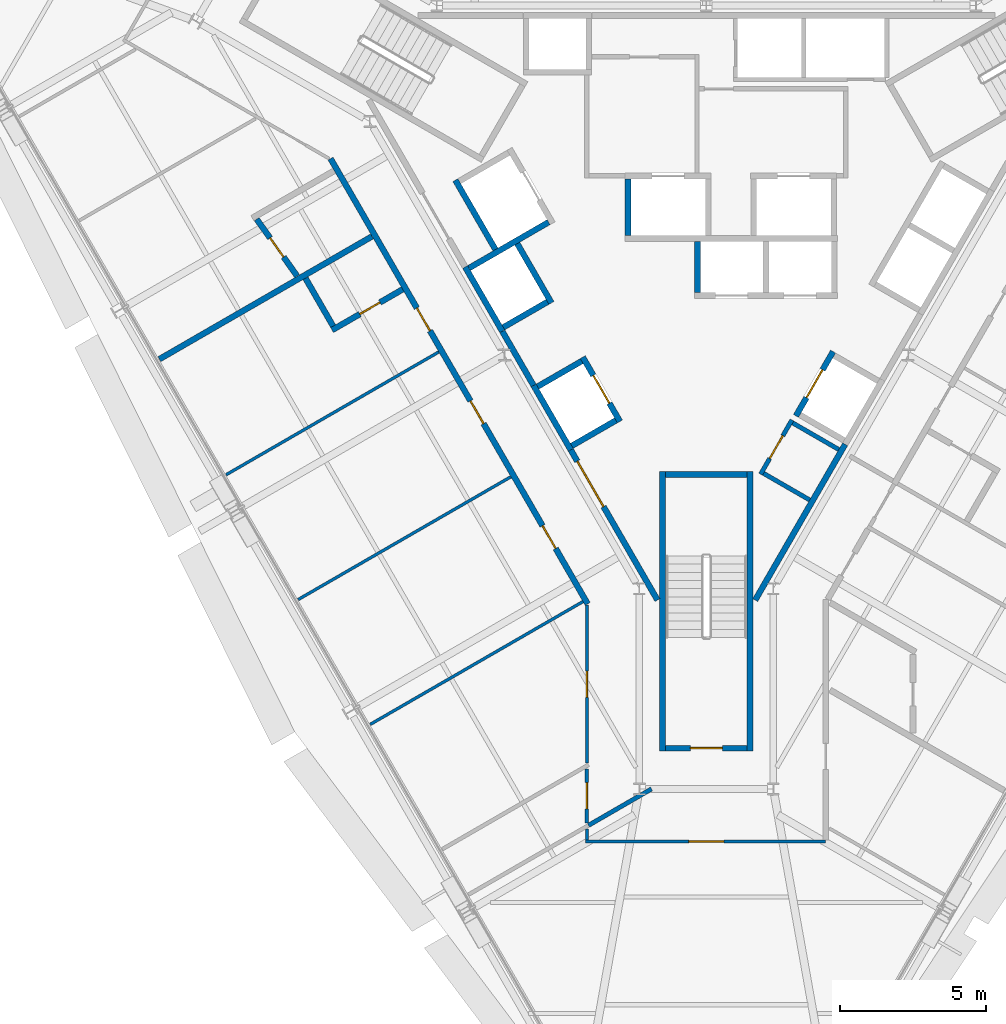
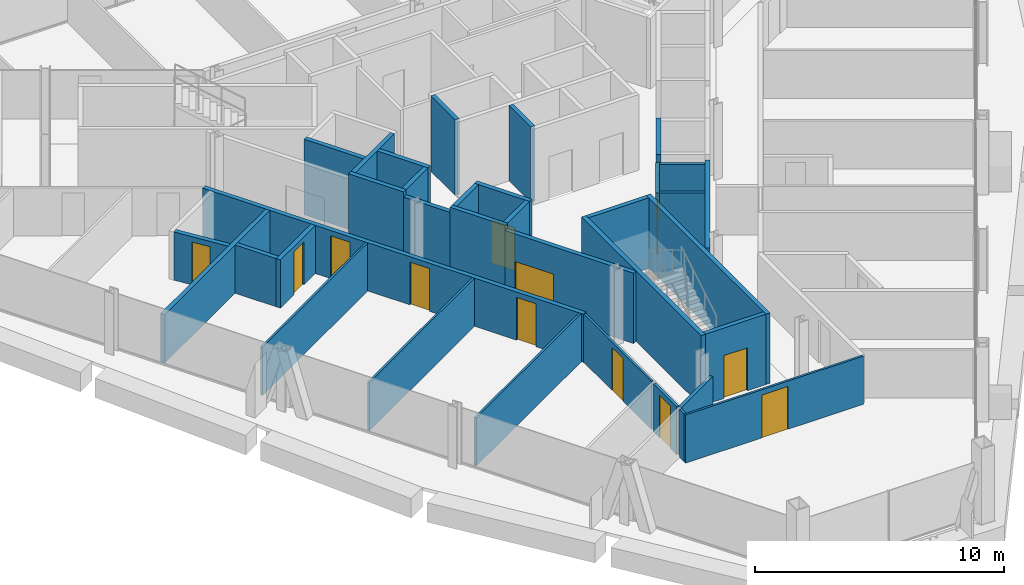
# One storey, part 9 of 14: 35 walls, 13 doors, 13 openings.
"""IFC4 building model written with IfcOpenShell, lengths in metres."""

from ifc_helpers import new_model, si_unit, direction, frame, frame_2d, origin, place, context, subcontext, project, spatial, rectangle, extrude, material, layer, layer_set, type_object, element, fill, save


model = new_model("IFC4")

# Units and contexts
model_context = context("Model", 3, precision=1e-05, world=origin(), true_north=direction((0.0, 1.0)))
body_context = subcontext(model_context, "Body", "Model", "MODEL_VIEW")
ifc_project = project(units=[si_unit("LENGTHUNIT", "METRE"), si_unit("AREAUNIT", "SQUARE_METRE"), si_unit("VOLUMEUNIT", "CUBIC_METRE"), si_unit("PLANEANGLEUNIT", "RADIAN"), si_unit("MASSUNIT", "GRAM", prefix="KILO")], contexts=[model_context])

# Site, building, storey
site_placement = place(None, origin())
site = spatial("IfcSite", under=ifc_project, at=site_placement, CompositionType="ELEMENT")
building_placement = place(site_placement, origin())
building = spatial("IfcBuilding", under=site, at=building_placement, Name="Verrane Prism Tower", CompositionType="ELEMENT")
storey_placement = place(building_placement, frame((0.0, 0.0, 196.89990234375)))
storey = spatial("IfcBuildingStorey", under=building, at=storey_placement, Name="L49", CompositionType="ELEMENT", Elevation=196.89990234375)

# Wall
ifc_material_1 = material(Name="Gypsum board partition", Category="other")
ifc_layer_1 = layer(ifc_material_1, 0.199951171875)
ifc_layer_set_1 = layer_set([ifc_layer_1], Name="CW-200 core boundary wall 2 h")
wall_type_1 = type_object("IfcWallType", Name="CW-200 core boundary wall 2 h", PredefinedType="PARTITIONING", material=ifc_layer_set_1)
wall_1_placement = place(storey_placement, frame((-7.0048828125, -3.18701171875, 0.0), z_axis=(0.0, 0.0, 1.0), x_axis=(0.499689606989, -0.866204535123, 0.0)))
element("IfcWall", 1, at=wall_1_placement, inside=storey, type_object=wall_type_1, Name="Core boundary wall CW3-003", PredefinedType="PARTITIONING", context=body_context, shape_type="SweptSolid", body=[
    extrude(rectangle(XDim=2.144775390625, YDim=0.199951171875, at=frame_2d((1.072265625, 0.0))), origin(), (0.0, 0.0, 1.0), 3.4501953125),
])

# Wall, opening, door
wall_2_placement = place(storey_placement, frame((-4.655029296875, -7.257080078125, 0.0), z_axis=(0.0, 0.0, 1.0), x_axis=(0.499966124405, -0.866044960985, 0.0)))
wall_2 = element("IfcWall", 2, at=wall_2_placement, inside=storey, type_object=wall_type_1, Name="Core boundary wall CW3-004", PredefinedType="PARTITIONING", context=body_context, shape_type="SweptSolid", body=[
    extrude(rectangle(XDim=5.95556640625, YDim=0.199951171875, at=frame_2d((2.977783203125, 0.0))), origin(), (0.0, 0.0, 1.0), 3.4501953125),
])
opening_1_placement = place(wall_2_placement, frame((0.449951171875, 0.0, 0.0)))
opening_1 = element("IfcOpeningElement", 3, at=opening_1_placement, cuts=wall_2, Name="Opening D47511", PredefinedType="OPENING", context=body_context, shape_type="SweptSolid", body=[
    extrude(rectangle(XDim=1.800048828125, YDim=2.10009765625, at=frame_2d((0.89990234375, 1.050048828125))), frame((0.0, 0.10986328125, 0.0), z_axis=(0.0, -1.0, 0.0), x_axis=(1.0, 0.0, 0.0)), (0.0, 0.0, 1.0), 0.219970703125),
])
ifc_material_2 = material(Name="Timber veneered door leaf", Category="wood")
door_type_1 = type_object("IfcDoorType", Name="DR-1800x2100 FD60 double leaf lift lobby", OperationType="NOTDEFINED", PredefinedType="DOOR", material=ifc_material_2)
door_1_placement = place(opening_1_placement, origin())
door_1 = element("IfcDoor", 4, at=door_1_placement, inside=storey, type_object=door_type_1, Name="Lift lobby door D47511", OperationType="DOUBLE_DOOR_SINGLE_SWING", OverallHeight=2.10009765625, OverallWidth=1.800048828125, PredefinedType="DOOR", context=body_context, shape_type="SweptSolid", body=[
    extrude(rectangle(XDim=1.800048828125, YDim=2.10009765625, at=frame_2d((0.89990234375, 1.050048828125))), frame((0.0, 0.02490234375, 0.0), z_axis=(0.0, -1.0, 0.0), x_axis=(1.0, 0.0, 0.0)), (0.0, 0.0, 1.0), 0.050048828125),
])
fill(opening_1, door_1)

# Wall
wall_3_placement = place(storey_placement, frame((1.677490234375, -12.414794921875, 0.0), z_axis=(0.0, 0.0, 1.0), x_axis=(0.500054337157, 0.865994029939, 0.0)))
element("IfcWall", 5, at=wall_3_placement, inside=storey, type_object=wall_type_1, Name="Core boundary wall CW3-006", PredefinedType="PARTITIONING", context=body_context, shape_type="SweptSolid", body=[
    extrude(rectangle(XDim=6.176513671875, YDim=0.199951171875, at=frame_2d((3.08837890625, 0.0))), origin(), (0.0, 0.0, 1.0), 3.4501953125),
])

# Wall, opening, door
ifc_material_3 = material(Name="Concrete C40/50", Category="concrete")
ifc_layer_2 = layer(ifc_material_3, 0.199951171875)
ifc_layer_set_2 = layer_set([ifc_layer_2], Name="CW-200 stair core wall concrete C40/50 3 h")
wall_type_2 = type_object("IfcWallType", Name="CW-200 stair core wall concrete C40/50 3 h", PredefinedType="PARTITIONING", material=ifc_layer_set_2)
wall_4_placement = place(storey_placement, frame((-1.39990234375, -17.5, 0.0), z_axis=(0.0, 0.0, 1.0), x_axis=(1.0, 0.0, 0.0)))
wall_4 = element("IfcWall", 6, at=wall_4_placement, inside=storey, type_object=wall_type_2, Name="Stair 3 enclosure wall", PredefinedType="PARTITIONING", context=body_context, shape_type="SweptSolid", body=[
    extrude(rectangle(XDim=2.7998046875, YDim=0.199951171875, at=frame_2d((1.39990234375, 0.0))), origin(), (0.0, 0.0, 1.0), 3.4501953125),
])
opening_2_placement = place(wall_4_placement, frame((0.85009765625, 0.0, 0.0)))
opening_2 = element("IfcOpeningElement", 7, at=opening_2_placement, cuts=wall_4, Name="Opening D47502", PredefinedType="OPENING", context=body_context, shape_type="SweptSolid", body=[
    extrude(rectangle(XDim=1.10009765625, YDim=2.10009765625, at=frame_2d((0.550048828125, 1.050048828125))), frame((0.0, 0.10986328125, 0.0), z_axis=(0.0, -1.0, 0.0), x_axis=(1.0, 0.0, 0.0)), (0.0, 0.0, 1.0), 0.219970703125),
])
ifc_material_4 = material(Name="Timber veneered door leaf", Category="wood")
door_type_2 = type_object("IfcDoorType", Name="DR-1100x2100 FD90 single leaf stair", OperationType="NOTDEFINED", PredefinedType="DOOR", material=ifc_material_4)
door_2_placement = place(opening_2_placement, origin())
door_2 = element("IfcDoor", 8, at=door_2_placement, inside=storey, type_object=door_type_2, Name="Stair 3 door", OperationType="SINGLE_SWING_LEFT", OverallHeight=2.10009765625, OverallWidth=1.10009765625, PredefinedType="DOOR", context=body_context, shape_type="SweptSolid", body=[
    extrude(rectangle(XDim=1.10009765625, YDim=2.10009765625, at=frame_2d((0.550048828125, 1.050048828125))), frame((0.0, 0.02490234375, 0.0), z_axis=(0.0, -1.0, 0.0), x_axis=(1.0, 0.0, 0.0)), (0.0, 0.0, 1.0), 0.050048828125),
])
fill(opening_2, door_2)

# Walls
for number, where, z_axis, x_axis, name in (
    (9, (1.5, -8.0, 0.0), (0.0, 0.0, 1.0), (0.0, -1.0, 0.0), "Stair 3 enclosure wall"),
    (10, (-1.5, -8.0, 0.0), (0.0, 0.0, 1.0), (0.0, -1.0, 0.0), "Stair 3 enclosure wall"),
):
    element("IfcWall", number, at=place(storey_placement, frame(where, z_axis=z_axis, x_axis=x_axis)), inside=storey, type_object=wall_type_2, Name=name, PredefinedType="PARTITIONING", context=body_context, shape_type="SweptSolid", body=[
        extrude(rectangle(XDim=9.60009765625, YDim=0.199951171875, at=frame_2d((4.800048828125, 0.0))), origin(), (0.0, 0.0, 1.0), 3.4501953125),
    ])
wall_5_placement = place(storey_placement, frame((-1.39990234375, -8.10009765625, 0.0), z_axis=(0.0, 0.0, 1.0), x_axis=(1.0, 0.0, 0.0)))
element("IfcWall", 11, at=wall_5_placement, inside=storey, type_object=wall_type_2, Name="Stair 3 enclosure wall", PredefinedType="PARTITIONING", context=body_context, shape_type="SweptSolid", body=[
    extrude(rectangle(XDim=2.7998046875, YDim=0.199951171875, at=frame_2d((1.39990234375, 0.0))), origin(), (0.0, 0.0, 1.0), 3.4501953125),
])
ifc_material_5 = material(Name="Gypsum board shaft wall assembly", Category="other")
ifc_layer_3 = layer(ifc_material_5, 0.199951171875)
ifc_layer_set_3 = layer_set([ifc_layer_3], Name="HW-200 lift shaft wall 2 h")
wall_type_3 = type_object("IfcWallType", Name="HW-200 lift shaft wall 2 h", PredefinedType="PARTITIONING", material=ifc_layer_set_3)
for number, where, z_axis, x_axis, name in (
    (12, (-4.61962890625, -7.118408203125, 0.0), (0.0, 0.0, 1.0), (0.866036909293, 0.499980071345, 0.0), "Lift shaft wall"),
    (13, (-5.794677734375, -5.083251953125, 0.0), (0.0, 0.0, 1.0), (0.866036909293, 0.499980071345, 0.0), "Lift shaft wall"),
    (14, (-6.9697265625, -3.048095703125, 0.0), (0.0, 0.0, 1.0), (0.866036909293, 0.499980071345, 0.0), "Lift shaft wall"),
):
    element("IfcWall", number, at=place(storey_placement, frame(where, z_axis=z_axis, x_axis=x_axis)), inside=storey, type_object=wall_type_3, Name=name, PredefinedType="PARTITIONING", context=body_context, shape_type="SweptSolid", body=[
        extrude(rectangle(XDim=1.75, YDim=0.199951171875, at=frame_2d((0.875, 0.0))), origin(), (0.0, 0.0, 1.0), 3.7001953125),
    ])
wall_6_placement = place(storey_placement, frame((-8.14453125, -1.012939453125, 0.0), z_axis=(0.0, 0.0, 1.0), x_axis=(0.866016494683, 0.500015430699, 0.0)))
element("IfcWall", 15, at=wall_6_placement, inside=storey, type_object=wall_type_3, Name="Lift shaft wall", PredefinedType="PARTITIONING", context=body_context, shape_type="SweptSolid", body=[
    extrude(rectangle(XDim=3.14990234375, YDim=0.199951171875, at=frame_2d((1.574951171875, 0.0))), origin(), (0.0, 0.0, 1.0), 3.7001953125),
])

# Wall, opening, door
wall_7_placement = place(storey_placement, frame((3.077392578125, -6.089599609375, 0.0), z_axis=(0.0, 0.0, 1.0), x_axis=(0.500062241894, 0.865989465428, 0.0)))
wall_7 = element("IfcWall", 16, at=wall_7_placement, inside=storey, type_object=wall_type_3, Name="Lift shaft wall", PredefinedType="PARTITIONING", context=body_context, shape_type="SweptSolid", body=[
    extrude(rectangle(XDim=2.550048828125, YDim=0.199951171875, at=frame_2d((1.27490234375, 0.0))), origin(), (0.0, 0.0, 1.0), 3.7001953125),
])
opening_3_placement = place(wall_7_placement, frame((0.72509765625, 0.0, 0.0)))
opening_3 = element("IfcOpeningElement", 17, at=opening_3_placement, cuts=wall_7, Name="Opening D47505", PredefinedType="OPENING", context=body_context, shape_type="SweptSolid", body=[
    extrude(rectangle(XDim=1.10009765625, YDim=2.10009765625, at=frame_2d((0.550048828125, 1.050048828125))), frame((0.0, 0.10986328125, 0.0), z_axis=(0.0, -1.0, 0.0), x_axis=(1.0, 0.0, 0.0)), (0.0, 0.0, 1.0), 0.219970703125),
])
ifc_material_6 = material(Name="Stainless steel sliding landing door", Category="steel")
door_type_3 = type_object("IfcDoorType", Name="LD-1100x2100 lift landing door FD90 sliding", OperationType="NOTDEFINED", PredefinedType="DOOR", material=ifc_material_6)
door_3_placement = place(opening_3_placement, origin())
door_3 = element("IfcDoor", 18, at=door_3_placement, inside=storey, type_object=door_type_3, Name="Bank B lift 3 landing door", OperationType="SLIDING_TO_LEFT", OverallHeight=2.10009765625, OverallWidth=1.10009765625, PredefinedType="DOOR", context=body_context, shape_type="SweptSolid", body=[
    extrude(rectangle(XDim=1.10009765625, YDim=2.10009765625, at=frame_2d((0.550048828125, 1.050048828125))), frame((0.0, 0.02490234375, 0.0), z_axis=(0.0, -1.0, 0.0), x_axis=(1.0, 0.0, 0.0)), (0.0, 0.0, 1.0), 0.050048828125),
])
fill(opening_3, door_3)

# Walls
wall_8_placement = place(storey_placement, frame((-0.304931640625, -1.85009765625, 0.0), z_axis=(0.0, 0.0, 1.0), x_axis=(0.0, 1.0, 0.0)))
element("IfcWall", 19, at=wall_8_placement, inside=storey, type_object=wall_type_3, Name="Lift shaft wall", PredefinedType="PARTITIONING", context=body_context, shape_type="SweptSolid", body=[
    extrude(rectangle(XDim=1.75, YDim=0.199951171875, at=frame_2d((0.875, 0.0))), origin(), (0.0, 0.0, 1.0), 3.7001953125),
])
wall_9_placement = place(storey_placement, frame((-2.68505859375, 0.10009765625, 0.0), z_axis=(0.0, 0.0, 1.0), x_axis=(0.0, 1.0, 0.0)))
element("IfcWall", 20, at=wall_9_placement, inside=storey, type_object=wall_type_3, Name="Lift shaft wall", PredefinedType="PARTITIONING", context=body_context, shape_type="SweptSolid", body=[
    extrude(rectangle(XDim=1.949951171875, YDim=0.199951171875, at=frame_2d((0.97509765625, 0.0))), origin(), (0.0, 0.0, 1.0), 3.7001953125),
])

# Wall, opening, door
wall_10_placement = place(storey_placement, frame((-2.967529296875, -6.280029296875, 0.0), z_axis=(0.0, 0.0, 1.0), x_axis=(-0.499990435942, 0.866030925526, 0.0)))
wall_10 = element("IfcWall", 21, at=wall_10_placement, inside=storey, type_object=wall_type_3, Name="Lift shaft wall", PredefinedType="PARTITIONING", context=body_context, shape_type="SweptSolid", body=[
    extrude(rectangle(XDim=2.5498046875, YDim=0.199951171875, at=frame_2d((1.27490234375, 0.0))), origin(), (0.0, 0.0, 1.0), 3.7001953125),
])
opening_4_placement = place(wall_10_placement, frame((0.72509765625, 0.0, 0.0)))
opening_4 = element("IfcOpeningElement", 22, at=opening_4_placement, cuts=wall_10, Name="Opening D47506", PredefinedType="OPENING", context=body_context, shape_type="SweptSolid", body=[
    extrude(rectangle(XDim=1.10009765625, YDim=2.10009765625, at=frame_2d((0.550048828125, 1.050048828125))), frame((0.0, 0.10986328125, 0.0), z_axis=(0.0, -1.0, 0.0), x_axis=(1.0, 0.0, 0.0)), (0.0, 0.0, 1.0), 0.219970703125),
])
door_4_placement = place(opening_4_placement, origin())
door_4 = element("IfcDoor", 23, at=door_4_placement, inside=storey, type_object=door_type_3, Name="Bank B lift 4 landing door", OperationType="SLIDING_TO_RIGHT", OverallHeight=2.10009765625, OverallWidth=1.10009765625, PredefinedType="DOOR", context=body_context, shape_type="SweptSolid", body=[
    extrude(rectangle(XDim=1.10009765625, YDim=2.10009765625, at=frame_2d((0.550048828125, 1.050048828125))), frame((0.0, 0.02490234375, 0.0), z_axis=(0.0, -1.0, 0.0), x_axis=(1.0, 0.0, 0.0)), (0.0, 0.0, 1.0), 0.050048828125),
])
fill(opening_4, door_4)

# Walls
wall_11_placement = place(storey_placement, frame((-5.317626953125, -2.209716796875, 0.0), z_axis=(0.0, 0.0, 1.0), x_axis=(-0.499938297808, 0.866061024631, 0.0)))
element("IfcWall", 24, at=wall_11_placement, inside=storey, type_object=wall_type_3, Name="Lift shaft wall", PredefinedType="PARTITIONING", context=body_context, shape_type="SweptSolid", body=[
    extrude(rectangle(XDim=2.349853515625, YDim=0.199951171875, at=frame_2d((1.1748046875, 0.0))), origin(), (0.0, 0.0, 1.0), 3.7001953125),
])
wall_12_placement = place(storey_placement, frame((-7.241943359375, -0.37646484375, 0.0), z_axis=(0.0, 0.0, 1.0), x_axis=(-0.499996545922, 0.866027397988, 0.0)))
element("IfcWall", 25, at=wall_12_placement, inside=storey, type_object=wall_type_3, Name="Lift shaft wall", PredefinedType="PARTITIONING", context=body_context, shape_type="SweptSolid", body=[
    extrude(rectangle(XDim=2.75, YDim=0.199951171875, at=frame_2d((1.375, 0.0))), origin(), (0.0, 0.0, 1.0), 3.7001953125),
])
for number, where, z_axis, x_axis, name in (
    (26, (-4.65625, -7.255126953125, 0.0), (0.0, 0.0, 1.0), (-0.499990435942, 0.866030925526, 0.0), "Lift shaft wall"),
    (27, (-7.00634765625, -3.184814453125, 0.0), (0.0, 0.0, 1.0), (-0.499990435942, 0.866030925526, 0.0), "Lift shaft wall"),
):
    element("IfcWall", number, at=place(storey_placement, frame(where, z_axis=z_axis, x_axis=x_axis)), inside=storey, type_object=wall_type_3, Name=name, PredefinedType="PARTITIONING", context=body_context, shape_type="SweptSolid", body=[
        extrude(rectangle(XDim=2.5498046875, YDim=0.199951171875, at=frame_2d((1.27490234375, 0.0))), origin(), (0.0, 0.0, 1.0), 3.7001953125),
    ])
ifc_material_7 = material(Name="Gypsum board partition", Category="other")
ifc_layer_4 = layer(ifc_material_7, 0.10009765625)
ifc_layer_set_4 = layer_set([ifc_layer_4], Name="PW-100 room partition")
wall_type_4 = type_object("IfcWallType", Name="PW-100 room partition", PredefinedType="PARTITIONING", material=ifc_layer_set_4)
wall_13_placement = place(storey_placement, frame((-16.4892578125, -8.1103515625, 0.0), z_axis=(0.0, 0.0, 1.0), x_axis=(0.865995531057, 0.500051737513, 0.0)))
element("IfcWall", 28, at=wall_13_placement, inside=storey, type_object=wall_type_4, Name="Room partition 006", PredefinedType="PARTITIONING", context=body_context, shape_type="SweptSolid", body=[
    extrude(rectangle(XDim=8.4287109375, YDim=0.10009765625, at=frame_2d((4.21435546875, 0.0))), origin(), (0.0, 0.0, 1.0), 2.362060546875),
])
wall_14_placement = place(storey_placement, frame((-14.014892578125, -12.39599609375, 0.0), z_axis=(0.0, 0.0, 1.0), x_axis=(0.866079962101, 0.499905490315, 0.0)))
element("IfcWall", 29, at=wall_14_placement, inside=storey, type_object=wall_type_4, Name="Room partition 011", PredefinedType="PARTITIONING", context=body_context, shape_type="SweptSolid", body=[
    extrude(rectangle(XDim=8.428955078125, YDim=0.10009765625, at=frame_2d((4.21435546875, 0.0))), origin(), (0.0, 0.0, 1.0), 2.362060546875),
])
wall_15_placement = place(storey_placement, frame((-11.540283203125, -16.68212890625, 0.0), z_axis=(0.0, 0.0, 1.0), x_axis=(0.866063141794, 0.499934630153, 0.0)))
element("IfcWall", 30, at=wall_15_placement, inside=storey, type_object=wall_type_4, Name="Room partition 015", PredefinedType="PARTITIONING", context=body_context, shape_type="SweptSolid", body=[
    extrude(rectangle(XDim=8.433349609375, YDim=0.10009765625, at=frame_2d((4.216796875, 0.0))), origin(), (0.0, 0.0, 1.0), 2.362060546875),
])
wall_16_placement = place(storey_placement, frame((-4.10009765625, -20.64990234375, 0.0), z_axis=(0.0, 0.0, 1.0), x_axis=(0.0, 1.0, 0.0)))
element("IfcWall", 31, at=wall_16_placement, inside=storey, type_object=wall_type_4, Name="Room partition 021", PredefinedType="PARTITIONING", context=body_context, shape_type="SweptSolid", body=[
    extrude(rectangle(XDim=0.369873046875, YDim=0.10009765625, at=frame_2d((0.18505859375, 0.0))), origin(), (0.0, 0.0, 1.0), 2.362060546875),
])

# Wall, opening, door
wall_17_placement = place(storey_placement, frame((4.10009765625, -20.699951171875, 0.0), z_axis=(0.0, 0.0, 1.0), x_axis=(-1.0, 0.0, 0.0)))
wall_17 = element("IfcWall", 32, at=wall_17_placement, inside=storey, type_object=wall_type_4, Name="Room partition 022", PredefinedType="PARTITIONING", context=body_context, shape_type="SweptSolid", body=[
    extrude(rectangle(XDim=8.25, YDim=0.10009765625, at=frame_2d((4.125, 0.0))), origin(), (0.0, 0.0, 1.0), 2.362060546875),
])
opening_5_placement = place(wall_17_placement, frame((3.5, 0.0, 0.0)))
opening_5 = element("IfcOpeningElement", 33, at=opening_5_placement, cuts=wall_17, Name="Opening D47027", PredefinedType="OPENING", context=body_context, shape_type="SweptSolid", body=[
    extrude(rectangle(XDim=1.199951171875, YDim=2.10009765625, at=frame_2d((0.60009765625, 1.050048828125))), frame((0.0, 0.06005859375, 0.0), z_axis=(0.0, -1.0, 0.0), x_axis=(1.0, 0.0, 0.0)), (0.0, 0.0, 1.0), 0.1201171875),
])
ifc_material_8 = material(Name="Timber veneered door leaf", Category="wood")
door_type_4 = type_object("IfcDoorType", Name="DR-1200x2100 single leaf unit", OperationType="NOTDEFINED", PredefinedType="DOOR", material=ifc_material_8)
door_5_placement = place(opening_5_placement, origin())
door_5 = element("IfcDoor", 34, at=door_5_placement, inside=storey, type_object=door_type_4, Name="Living And Dining Room door", OperationType="SINGLE_SWING_RIGHT", OverallHeight=2.10009765625, OverallWidth=1.199951171875, PredefinedType="DOOR", context=body_context, shape_type="SweptSolid", body=[
    extrude(rectangle(XDim=1.199951171875, YDim=2.10009765625, at=frame_2d((0.60009765625, 1.050048828125))), frame((0.0, 0.02490234375, 0.0), z_axis=(0.0, -1.0, 0.0), x_axis=(1.0, 0.0, 0.0)), (0.0, 0.0, 1.0), 0.050048828125),
])
fill(opening_5, door_5)

wall_18_placement = place(storey_placement, frame((-4.10009765625, -18.01611328125, 0.0), z_axis=(0.0, 0.0, 1.0), x_axis=(0.0, 1.0, 0.0)))
wall_18 = element("IfcWall", 35, at=wall_18_placement, inside=storey, type_object=wall_type_4, Name="Room partition 025", PredefinedType="PARTITIONING", context=body_context, shape_type="SweptSolid", body=[
    extrude(rectangle(XDim=5.42919921875, YDim=0.10009765625, at=frame_2d((2.714599609375, 0.0))), origin(), (0.0, 0.0, 1.0), 2.362060546875),
])
opening_6_placement = place(wall_18_placement, frame((2.264892578125, 0.0, 0.0)))
opening_6 = element("IfcOpeningElement", 36, at=opening_6_placement, cuts=wall_18, Name="Opening D47026", PredefinedType="OPENING", context=body_context, shape_type="SweptSolid", body=[
    extrude(rectangle(XDim=0.89990234375, YDim=2.10009765625, at=frame_2d((0.449951171875, 1.050048828125))), frame((0.0, 0.06005859375, 0.0), z_axis=(0.0, -1.0, 0.0), x_axis=(1.0, 0.0, 0.0)), (0.0, 0.0, 1.0), 0.1201171875),
])
ifc_material_9 = material(Name="Timber veneered door leaf", Category="wood")
door_type_5 = type_object("IfcDoorType", Name="DR-900x2100 single leaf unit", OperationType="NOTDEFINED", PredefinedType="DOOR", material=ifc_material_9)
door_6_placement = place(opening_6_placement, origin())
door_6 = element("IfcDoor", 37, at=door_6_placement, inside=storey, type_object=door_type_5, Name="Study door", OperationType="SINGLE_SWING_RIGHT", OverallHeight=2.10009765625, OverallWidth=0.89990234375, PredefinedType="DOOR", context=body_context, shape_type="SweptSolid", body=[
    extrude(rectangle(XDim=0.89990234375, YDim=2.10009765625, at=frame_2d((0.449951171875, 1.050048828125))), frame((0.0, 0.02490234375, 0.0), z_axis=(0.0, -1.0, 0.0), x_axis=(1.0, 0.0, 0.0)), (0.0, 0.0, 1.0), 0.050048828125),
])
fill(opening_6, door_6)

ifc_material_10 = material(Name="Gypsum board partition", Category="other")
ifc_layer_5 = layer(ifc_material_10, 0.125)
ifc_layer_set_5 = layer_set([ifc_layer_5], Name="PW-125 corridor wall 1 h")
wall_type_5 = type_object("IfcWallType", Name="PW-125 corridor wall 1 h", PredefinedType="PARTITIONING", material=ifc_layer_set_5)
wall_19_placement = place(storey_placement, frame((-4.10009765625, -18.2060546875, 0.0), z_axis=(0.0, 0.0, 1.0), x_axis=(0.0, -1.0, 0.0)))
wall_19 = element("IfcWall", 38, at=wall_19_placement, inside=storey, type_object=wall_type_5, Name="Corridor wall 023", PredefinedType="PARTITIONING", context=body_context, shape_type="SweptSolid", body=[
    extrude(rectangle(XDim=1.85400390625, YDim=0.125, at=frame_2d((0.927001953125, 0.0))), origin(), (0.0, 0.0, 1.0), 2.362060546875),
])
opening_7_placement = place(wall_19_placement, frame((0.47412109375, 0.0, 0.0)))
opening_7 = element("IfcOpeningElement", 39, at=opening_7_placement, cuts=wall_19, Name="Opening D47029", PredefinedType="OPENING", context=body_context, shape_type="SweptSolid", body=[
    extrude(rectangle(XDim=0.89990234375, YDim=2.10009765625, at=frame_2d((0.449951171875, 1.050048828125))), frame((0.0, 0.072509765625, 0.0), z_axis=(0.0, -1.0, 0.0), x_axis=(1.0, 0.0, 0.0)), (0.0, 0.0, 1.0), 0.14501953125),
])
ifc_material_11 = material(Name="Timber veneered door leaf", Category="wood")
door_type_6 = type_object("IfcDoorType", Name="DR-900x2100 FD20 single leaf unit", OperationType="NOTDEFINED", PredefinedType="DOOR", material=ifc_material_11)
door_7_placement = place(opening_7_placement, origin())
door_7 = element("IfcDoor", 40, at=door_7_placement, inside=storey, type_object=door_type_6, Name="Entrance Hall door", OperationType="SINGLE_SWING_RIGHT", OverallHeight=2.10009765625, OverallWidth=0.89990234375, PredefinedType="DOOR", context=body_context, shape_type="SweptSolid", body=[
    extrude(rectangle(XDim=0.89990234375, YDim=2.10009765625, at=frame_2d((0.449951171875, 1.050048828125))), frame((0.0, 0.02490234375, 0.0), z_axis=(0.0, -1.0, 0.0), x_axis=(1.0, 0.0, 0.0)), (0.0, 0.0, 1.0), 0.050048828125),
])
fill(opening_7, door_7)

# Walls
ifc_material_12 = material(Name="Gypsum board partition", Category="other")
ifc_layer_6 = layer(ifc_material_12, 0.14990234375)
ifc_layer_set_6 = layer_set([ifc_layer_6], Name="PW-150 demising wall 1 h")
wall_type_6 = type_object("IfcWallType", Name="PW-150 demising wall 1 h", PredefinedType="PARTITIONING", material=ifc_layer_set_6)
wall_20_placement = place(storey_placement, frame((-4.0458984375, -20.148681640625, 0.0), z_axis=(0.0, 0.0, 1.0), x_axis=(0.865916841101, 0.500187988959, 0.0)))
element("IfcWall", 41, at=wall_20_placement, inside=storey, type_object=wall_type_6, Name="Demising wall 024", PredefinedType="PARTITIONING", context=body_context, shape_type="SweptSolid", body=[
    extrude(rectangle(XDim=2.49658203125, YDim=0.14990234375, at=frame_2d((1.248291015625, 0.0))), origin(), (0.0, 0.0, 1.0), 2.362060546875),
])
ifc_material_13 = material(Name="Gypsum board partition", Category="other")
ifc_layer_7 = layer(ifc_material_13, 0.199951171875)
ifc_layer_set_7 = layer_set([ifc_layer_7], Name="PW-200 plumbing wall")
wall_type_7 = type_object("IfcWallType", Name="PW-200 plumbing wall", PredefinedType="PARTITIONING", material=ifc_layer_set_7)
wall_21_placement = place(storey_placement, frame((-18.7802734375, -4.141845703125, 0.0), z_axis=(0.0, 0.0, 1.0), x_axis=(0.866020616849, 0.500008291124, 0.0)))
element("IfcWall", 42, at=wall_21_placement, inside=storey, type_object=wall_type_7, Name="Plumbing wall 005", PredefinedType="PARTITIONING", context=body_context, shape_type="SweptSolid", body=[
    extrude(rectangle(XDim=8.428466796875, YDim=0.199951171875, at=frame_2d((4.21435546875, 0.0))), origin(), (0.0, 0.0, 1.0), 2.362060546875),
])

# Wall, opening, door
wall_22_placement = place(storey_placement, frame((-15.438232421875, 0.663330078125, 0.0), z_axis=(0.0, 0.0, 1.0), x_axis=(0.579721135961, -0.81481495109, 0.0)))
wall_22 = element("IfcWall", 43, at=wall_22_placement, inside=storey, type_object=wall_type_7, Name="Plumbing wall 008", PredefinedType="PARTITIONING", context=body_context, shape_type="SweptSolid", body=[
    extrude(rectangle(XDim=2.3916015625, YDim=0.199951171875, at=frame_2d((1.19580078125, 0.0))), origin(), (0.0, 0.0, 1.0), 2.362060546875),
])
opening_8_placement = place(wall_22_placement, frame((0.7900390625, 0.0, 0.0)))
opening_8 = element("IfcOpeningElement", 44, at=opening_8_placement, cuts=wall_22, Name="Opening D47021", PredefinedType="OPENING", context=body_context, shape_type="SweptSolid", body=[
    extrude(rectangle(XDim=0.800048828125, YDim=2.10009765625, at=frame_2d((0.39990234375, 1.050048828125))), frame((0.0, 0.10986328125, 0.0), z_axis=(0.0, -1.0, 0.0), x_axis=(1.0, 0.0, 0.0)), (0.0, 0.0, 1.0), 0.219970703125),
])
ifc_material_14 = material(Name="Timber veneered door leaf", Category="wood")
door_type_7 = type_object("IfcDoorType", Name="DR-800x2100 single leaf bath", OperationType="NOTDEFINED", PredefinedType="DOOR", material=ifc_material_14)
door_8_placement = place(opening_8_placement, origin())
door_8 = element("IfcDoor", 45, at=door_8_placement, inside=storey, type_object=door_type_7, Name="Master Bathroom door", OperationType="SINGLE_SWING_LEFT", OverallHeight=2.10009765625, OverallWidth=0.800048828125, PredefinedType="DOOR", context=body_context, shape_type="SweptSolid", body=[
    extrude(rectangle(XDim=0.800048828125, YDim=2.10009765625, at=frame_2d((0.39990234375, 1.050048828125))), frame((0.0, 0.02490234375, 0.0), z_axis=(0.0, -1.0, 0.0), x_axis=(1.0, 0.0, 0.0)), (0.0, 0.0, 1.0), 0.050048828125),
])
fill(opening_8, door_8)

# Wall
wall_23_placement = place(storey_placement, frame((-13.764892578125, -1.361572265625, 0.0), z_axis=(0.0, 0.0, 1.0), x_axis=(0.499911523785, -0.866076479525, 0.0)))
element("IfcWall", 46, at=wall_23_placement, inside=storey, type_object=wall_type_7, Name="Plumbing wall 012", PredefinedType="PARTITIONING", context=body_context, shape_type="SweptSolid", body=[
    extrude(rectangle(XDim=1.900146484375, YDim=0.199951171875, at=frame_2d((0.9501953125, 0.0))), origin(), (0.0, 0.0, 1.0), 2.362060546875),
])

# Wall, openings, doors
wall_24_placement = place(storey_placement, frame((-4.074951171875, -12.54541015625, 0.0), z_axis=(0.0, 0.0, 1.0), x_axis=(-0.499999743747, 0.866025551732, 0.0)))
wall_24 = element("IfcWall", 47, at=wall_24_placement, inside=storey, type_object=wall_type_7, Name="Plumbing wall 013", PredefinedType="PARTITIONING", context=body_context, shape_type="SweptSolid", body=[
    extrude(rectangle(XDim=17.65625, YDim=0.199951171875, at=frame_2d((8.828125, 0.0))), origin(), (0.0, 0.0, 1.0), 2.362060546875),
])
opening_9_placement = place(wall_24_placement, frame((10.830078125, 0.0, 0.0)))
opening_9 = element("IfcOpeningElement", 48, at=opening_9_placement, cuts=wall_24, Name="Opening D47022", PredefinedType="OPENING", context=body_context, shape_type="SweptSolid", body=[
    extrude(rectangle(XDim=0.89990234375, YDim=2.10009765625, at=frame_2d((0.449951171875, 1.050048828125))), frame((0.0, 0.10986328125, 0.0), z_axis=(0.0, -1.0, 0.0), x_axis=(1.0, 0.0, 0.0)), (0.0, 0.0, 1.0), 0.219970703125),
])
opening_10_placement = place(wall_24_placement, frame((7.14794921875, 0.0, 0.0)))
opening_10 = element("IfcOpeningElement", 49, at=opening_10_placement, cuts=wall_24, Name="Opening D47024", PredefinedType="OPENING", context=body_context, shape_type="SweptSolid", body=[
    extrude(rectangle(XDim=0.89990234375, YDim=2.10009765625, at=frame_2d((0.449951171875, 1.050048828125))), frame((0.0, 0.10986328125, 0.0), z_axis=(0.0, -1.0, 0.0), x_axis=(1.0, 0.0, 0.0)), (0.0, 0.0, 1.0), 0.219970703125),
])
opening_11_placement = place(wall_24_placement, frame((2.197998046875, 0.0, 0.0)))
opening_11 = element("IfcOpeningElement", 50, at=opening_11_placement, cuts=wall_24, Name="Opening D47025", PredefinedType="OPENING", context=body_context, shape_type="SweptSolid", body=[
    extrude(rectangle(XDim=0.89990234375, YDim=2.10009765625, at=frame_2d((0.449951171875, 1.050048828125))), frame((0.0, 0.10986328125, 0.0), z_axis=(0.0, -1.0, 0.0), x_axis=(1.0, 0.0, 0.0)), (0.0, 0.0, 1.0), 0.219970703125),
])
ifc_material_15 = material(Name="Timber veneered door leaf", Category="wood")
door_type_8 = type_object("IfcDoorType", Name="DR-900x2100 single leaf inner", OperationType="NOTDEFINED", PredefinedType="DOOR", material=ifc_material_15)
door_9_placement = place(opening_9_placement, origin())
door_9 = element("IfcDoor", 51, at=door_9_placement, inside=storey, type_object=door_type_8, Name="Bedroom door", OperationType="SINGLE_SWING_LEFT", OverallHeight=2.10009765625, OverallWidth=0.89990234375, PredefinedType="DOOR", context=body_context, shape_type="SweptSolid", body=[
    extrude(rectangle(XDim=0.89990234375, YDim=2.10009765625, at=frame_2d((0.449951171875, 1.050048828125))), frame((0.0, 0.02490234375, 0.0), z_axis=(0.0, -1.0, 0.0), x_axis=(1.0, 0.0, 0.0)), (0.0, 0.0, 1.0), 0.050048828125),
])
fill(opening_9, door_9)
door_10_placement = place(opening_10_placement, origin())
door_10 = element("IfcDoor", 52, at=door_10_placement, inside=storey, type_object=door_type_5, Name="Study door", OperationType="SINGLE_SWING_LEFT", OverallHeight=2.10009765625, OverallWidth=0.89990234375, PredefinedType="DOOR", context=body_context, shape_type="SweptSolid", body=[
    extrude(rectangle(XDim=0.89990234375, YDim=2.10009765625, at=frame_2d((0.449951171875, 1.050048828125))), frame((0.0, 0.02490234375, 0.0), z_axis=(0.0, -1.0, 0.0), x_axis=(1.0, 0.0, 0.0)), (0.0, 0.0, 1.0), 0.050048828125),
])
fill(opening_10, door_10)
door_11_placement = place(opening_11_placement, origin())
door_11 = element("IfcDoor", 53, at=door_11_placement, inside=storey, type_object=door_type_5, Name="Study door", OperationType="SINGLE_SWING_RIGHT", OverallHeight=2.10009765625, OverallWidth=0.89990234375, PredefinedType="DOOR", context=body_context, shape_type="SweptSolid", body=[
    extrude(rectangle(XDim=0.89990234375, YDim=2.10009765625, at=frame_2d((0.449951171875, 1.050048828125))), frame((0.0, 0.02490234375, 0.0), z_axis=(0.0, -1.0, 0.0), x_axis=(1.0, 0.0, 0.0)), (0.0, 0.0, 1.0), 0.050048828125),
])
fill(opening_11, door_11)

# Wall, opening, door
wall_25_placement = place(storey_placement, frame((-12.8515625, -3.14404296875, 0.0), z_axis=(0.0, 0.0, 1.0), x_axis=(0.866018616679, 0.500011755427, 0.0)))
wall_25 = element("IfcWall", 54, at=wall_25_placement, inside=storey, type_object=wall_type_7, Name="Plumbing wall 014", PredefinedType="PARTITIONING", context=body_context, shape_type="SweptSolid", body=[
    extrude(rectangle(XDim=2.80029296875, YDim=0.199951171875, at=frame_2d((1.400146484375, 0.0))), origin(), (0.0, 0.0, 1.0), 2.362060546875),
])
opening_12_placement = place(wall_25_placement, frame((1.10009765625, 0.0, 0.0)))
opening_12 = element("IfcOpeningElement", 55, at=opening_12_placement, cuts=wall_25, Name="Opening D47023", PredefinedType="OPENING", context=body_context, shape_type="SweptSolid", body=[
    extrude(rectangle(XDim=0.800048828125, YDim=2.10009765625, at=frame_2d((0.39990234375, 1.050048828125))), frame((0.0, 0.10986328125, 0.0), z_axis=(0.0, -1.0, 0.0), x_axis=(1.0, 0.0, 0.0)), (0.0, 0.0, 1.0), 0.219970703125),
])
door_12_placement = place(opening_12_placement, origin())
door_12 = element("IfcDoor", 56, at=door_12_placement, inside=storey, type_object=door_type_7, Name="Bathroom door", OperationType="SINGLE_SWING_LEFT", OverallHeight=2.10009765625, OverallWidth=0.800048828125, PredefinedType="DOOR", context=body_context, shape_type="SweptSolid", body=[
    extrude(rectangle(XDim=0.800048828125, YDim=2.10009765625, at=frame_2d((0.39990234375, 1.050048828125))), frame((0.0, 0.02490234375, 0.0), z_axis=(0.0, -1.0, 0.0), x_axis=(1.0, 0.0, 0.0)), (0.0, 0.0, 1.0), 0.050048828125),
])
fill(opening_12, door_12)

ifc_material_16 = material(Name="Gypsum board partition", Category="other")
ifc_layer_8 = layer(ifc_material_16, 0.14990234375)
ifc_layer_set_8 = layer_set([ifc_layer_8], Name="RS-150 riser enclosure wall 1 h")
wall_type_8 = type_object("IfcWallType", Name="RS-150 riser enclosure wall 1 h", PredefinedType="PARTITIONING", material=ifc_layer_set_8)
wall_26_placement = place(storey_placement, frame((2.939453125, -6.22900390625, 0.0), z_axis=(0.0, 0.0, 1.0), x_axis=(-0.499961633463, -0.866047553582, 0.0)))
wall_26 = element("IfcWall", 57, at=wall_26_placement, inside=storey, type_object=wall_type_8, Name="Riser wall RS3-003", PredefinedType="PARTITIONING", context=body_context, shape_type="SweptSolid", body=[
    extrude(rectangle(XDim=2.150146484375, YDim=0.14990234375, at=frame_2d((1.0751953125, 0.0))), origin(), (0.0, 0.0, 1.0), 3.4501953125),
])
opening_13_placement = place(wall_26_placement, frame((0.625, 0.0, 0.0)))
opening_13 = element("IfcOpeningElement", 58, at=opening_13_placement, cuts=wall_26, Name="Opening D47516", PredefinedType="OPENING", context=body_context, shape_type="SweptSolid", body=[
    extrude(rectangle(XDim=0.89990234375, YDim=2.10009765625, at=frame_2d((0.449951171875, 1.050048828125))), frame((0.0, 0.0849609375, 0.0), z_axis=(0.0, -1.0, 0.0), x_axis=(1.0, 0.0, 0.0)), (0.0, 0.0, 1.0), 0.169921875),
])
ifc_material_17 = material(Name="Timber veneered door leaf", Category="wood")
door_type_9 = type_object("IfcDoorType", Name="DR-900x2100 FD20 single leaf store", OperationType="NOTDEFINED", PredefinedType="DOOR", material=ifc_material_17)
door_13_placement = place(opening_13_placement, origin())
door_13 = element("IfcDoor", 59, at=door_13_placement, inside=storey, type_object=door_type_9, Name="Room door D47516", OperationType="SINGLE_SWING_RIGHT", OverallHeight=2.10009765625, OverallWidth=0.89990234375, PredefinedType="DOOR", context=body_context, shape_type="SweptSolid", body=[
    extrude(rectangle(XDim=0.89990234375, YDim=2.10009765625, at=frame_2d((0.449951171875, 1.050048828125))), frame((0.0, 0.02490234375, 0.0), z_axis=(0.0, -1.0, 0.0), x_axis=(1.0, 0.0, 0.0)), (0.0, 0.0, 1.0), 0.050048828125),
])
fill(opening_13, door_13)

# Walls
wall_27_placement = place(storey_placement, frame((1.967041015625, -8.0634765625, 0.0), z_axis=(0.0, 0.0, 1.0), x_axis=(0.865978377894, -0.500081442387, 0.0)))
element("IfcWall", 60, at=wall_27_placement, inside=storey, type_object=wall_type_8, Name="Riser wall RS3-004", PredefinedType="PARTITIONING", context=body_context, shape_type="SweptSolid", body=[
    extrude(rectangle(XDim=1.824951171875, YDim=0.14990234375, at=frame_2d((0.91259765625, 0.0))), origin(), (0.0, 0.0, 1.0), 3.4501953125),
])
wall_28_placement = place(storey_placement, frame((2.967041015625, -6.33154296875, 0.0), z_axis=(0.0, 0.0, 1.0), x_axis=(0.866036312054, -0.499981105847, 0.0)))
element("IfcWall", 61, at=wall_28_placement, inside=storey, type_object=wall_type_8, Name="Riser wall RS3-005", PredefinedType="PARTITIONING", context=body_context, shape_type="SweptSolid", body=[
    extrude(rectangle(XDim=1.82470703125, YDim=0.14990234375, at=frame_2d((0.912353515625, 0.0))), origin(), (0.0, 0.0, 1.0), 3.4501953125),
])

save(model, "model.ifc")
